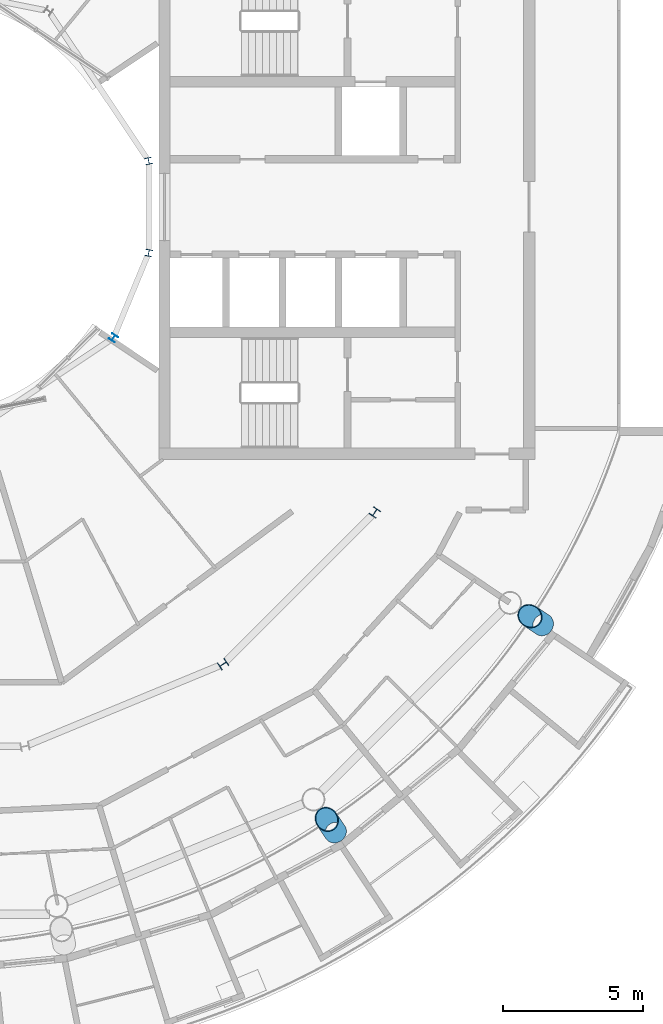
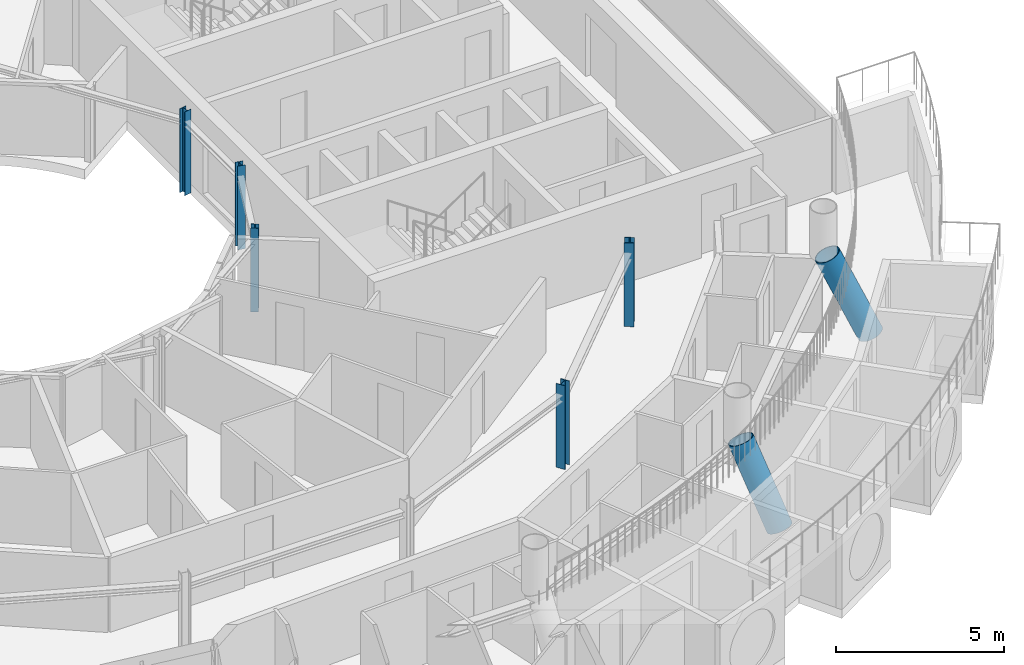
# One storey, part 3 of 29: 7 columns.
"""IFC4 building model written with IfcOpenShell, lengths in metres."""

from ifc_helpers import new_model, si_unit, direction, frame, origin, origin_2d, place, context, subcontext, project, spatial, hollow_circle, i_section, extrude, material, material_profile, profile_set, type_object, element, save


model = new_model("IFC4")

# Units and contexts
model_context = context("Model", 3, precision=1e-05, world=origin(), true_north=direction((0.0, 1.0)))
body_context = subcontext(model_context, "Body", "Model", "MODEL_VIEW")
ifc_project = project(units=[si_unit("LENGTHUNIT", "METRE"), si_unit("AREAUNIT", "SQUARE_METRE"), si_unit("VOLUMEUNIT", "CUBIC_METRE"), si_unit("PLANEANGLEUNIT", "RADIAN"), si_unit("MASSUNIT", "GRAM", prefix="KILO")], contexts=[model_context])

# Site, building, storey
site_placement = place(None, origin())
site = spatial("IfcSite", under=ifc_project, at=site_placement, CompositionType="ELEMENT")
building_placement = place(site_placement, origin())
building = spatial("IfcBuilding", under=site, at=building_placement, Name="Maasbend Ring Residences", CompositionType="ELEMENT")
storey_placement = place(building_placement, frame((0.0, 0.0, 234.050048828125)))
storey = spatial("IfcBuildingStorey", under=building, at=storey_placement, Name="L67", CompositionType="ELEMENT", Elevation=234.050048828125)

# Columns
ifc_material_1 = material(Name="Composite concrete-filled steel tube S460NH / C80/95", Category="concrete")
ifc_material_profile_1 = material_profile(ifc_material_1, hollow_circle(Radius=0.406494140625, WallThickness=0.030029296875, at=origin_2d()), Name="Composite tube column CHS 813x30")
ifc_profile_set_1 = profile_set([ifc_material_profile_1], Name="Composite concrete-filled steel tube S460NH / C80/95")
column_type_1 = type_object("IfcColumnType", Name="Composite tube column CHS 813x30", PredefinedType="COLUMN", material=ifc_profile_set_1)
for number, where, z_axis, x_axis, name in (
    (1, (14.889404296875, -22.283447265625, 0.0), (-0.231777820067, 0.346913947437, 0.908806775502), (-0.831494710184, -0.555532669549, 0.0), "Outer column R14"),
    (2, (22.283447265625, -14.889404296875, 0.0), (-0.346913947437, 0.231777820067, 0.908806775502), (-0.555532669549, -0.831494710184, 0.0), "Outer column R15"),
):
    element("IfcColumn", number, at=place(storey_placement, frame(where, z_axis=z_axis, x_axis=x_axis)), inside=storey, type_object=column_type_1, Name=name, PredefinedType="COLUMN", context=body_context, shape_type="SweptSolid", body=[
        extrude(hollow_circle(Radius=0.406494140625, WallThickness=0.030029296875, at=origin_2d()), origin(), (0.0, 0.0, 1.0), 3.0810546875),
    ])
ifc_material_2 = material(Name="Steel S355J2", Category="steel")
ifc_material_profile_2 = material_profile(ifc_material_2, i_section(OverallWidth=0.239990234375, OverallDepth=0.22998046875, WebThickness=0.007568359375, FlangeThickness=0.011962890625, FilletRadius=0.02099609375, at=origin_2d()), Name="HEA 240")
ifc_profile_set_2 = profile_set([ifc_material_profile_2], Name="Steel S355J2")
column_type_2 = type_object("IfcColumnType", Name="Steel column HEA 240", PredefinedType="COLUMN", material=ifc_profile_set_2)
for number, where, z_axis, x_axis, name in (
    (3, (8.238525390625, 1.638916015625, 0.0), (0.0, 0.0, 1.0), (0.980785280403, 0.195090322016, 0.0), "Well ring column R1"),
    (4, (6.984375, -4.666748046875, 0.0), (0.0, 0.0, 1.0), (0.831469612303, -0.55557023302, 0.0), "Well ring column R15"),
    (5, (8.238525390625, -1.638916015625, 0.0), (0.0, 0.0, 1.0), (0.980785280403, -0.195090322016, 0.0), "Well ring column R16"),
):
    element("IfcColumn", number, at=place(storey_placement, frame(where, z_axis=z_axis, x_axis=x_axis)), inside=storey, type_object=column_type_2, Name=name, PredefinedType="COLUMN", context=body_context, shape_type="SweptSolid", body=[
        extrude(i_section(OverallWidth=0.239990234375, OverallDepth=0.22998046875, WebThickness=0.007568359375, FlangeThickness=0.011962890625, FilletRadius=0.02099609375, at=origin_2d()), origin(), (0.0, 0.0, 1.0), 3.050048828125),
    ])
ifc_material_3 = material(Name="Steel S355J2", Category="steel")
ifc_material_profile_3 = material_profile(ifc_material_3, i_section(OverallWidth=0.300048828125, OverallDepth=0.300048828125, WebThickness=0.010986328125, FlangeThickness=0.01904296875, FilletRadius=0.027099609375, at=origin_2d()), Name="HEB 300")
ifc_profile_set_3 = profile_set([ifc_material_profile_3], Name="Steel S355J2")
column_type_3 = type_object("IfcColumnType", Name="Steel column HEB 300", PredefinedType="COLUMN", material=ifc_profile_set_3)
for number, where, z_axis, x_axis, name in (
    (6, (10.88916015625, -16.296875, 0.0), (0.0, 0.0, 1.0), (0.55557023302, -0.831469612303, 0.0), "Corridor ring column R14"),
    (7, (16.296875, -10.88916015625, 0.0), (0.0, 0.0, 1.0), (0.831469612303, -0.55557023302, 0.0), "Corridor ring column R15"),
):
    element("IfcColumn", number, at=place(storey_placement, frame(where, z_axis=z_axis, x_axis=x_axis)), inside=storey, type_object=column_type_3, Name=name, PredefinedType="COLUMN", context=body_context, shape_type="SweptSolid", body=[
        extrude(i_section(OverallWidth=0.300048828125, OverallDepth=0.300048828125, WebThickness=0.010986328125, FlangeThickness=0.01904296875, FilletRadius=0.027099609375, at=origin_2d()), origin(), (0.0, 0.0, 1.0), 3.050048828125),
    ])

save(model, "model.ifc")
